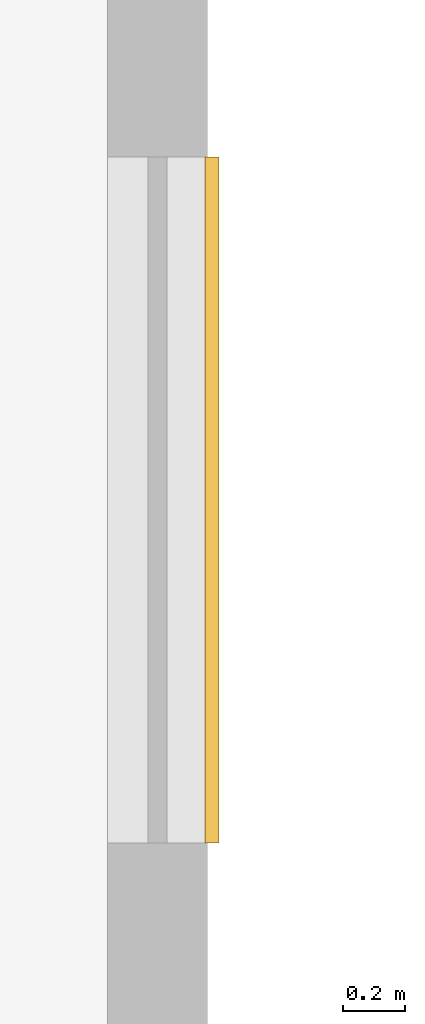
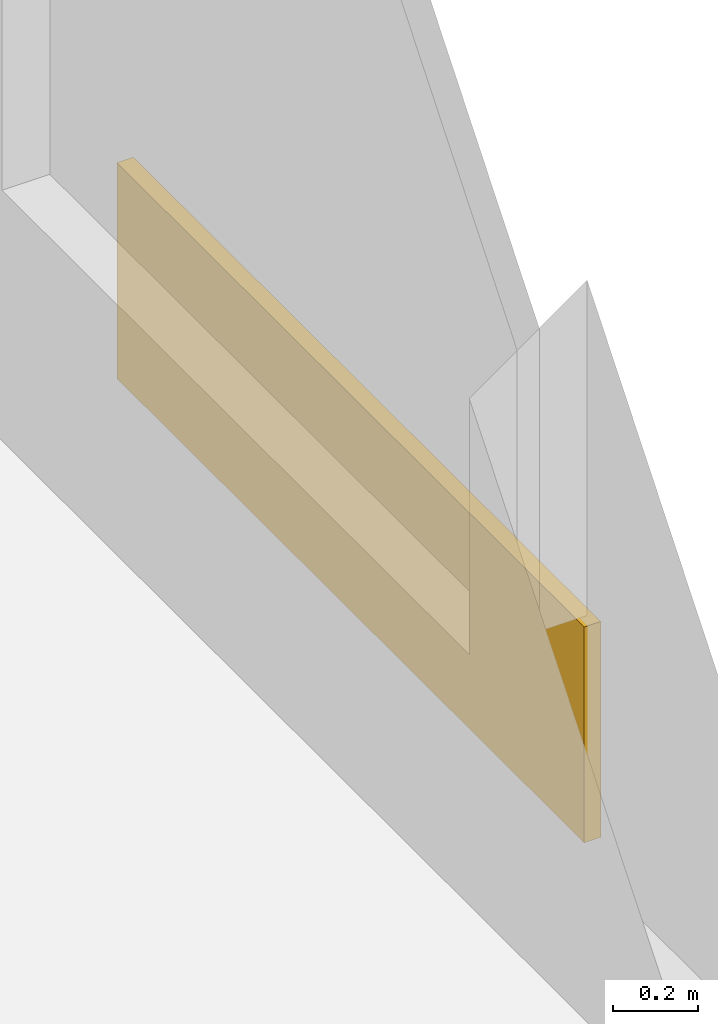
# One storey, part 16 of 16: 1 covering.
"""IFC4 building model written with IfcOpenShell, lengths in metres."""

from ifc_helpers import new_model, si_unit, direction, frame, origin, origin_2d, place, context, subcontext, project, spatial, rectangle, extrude, source, transform, mapped, material, layer, layer_set, type_object, element, save


model = new_model("IFC4")

# Units and contexts
model_context = context("Model", 3, precision=1e-05, world=origin(), true_north=direction((0.0, 1.0)))
body_context = subcontext(model_context, "Body", "Model", "MODEL_VIEW")
ifc_project = project(units=[si_unit("LENGTHUNIT", "METRE"), si_unit("AREAUNIT", "SQUARE_METRE"), si_unit("VOLUMEUNIT", "CUBIC_METRE"), si_unit("PLANEANGLEUNIT", "RADIAN"), si_unit("MASSUNIT", "GRAM", prefix="KILO")], contexts=[model_context])

# Site, building, storey
site_placement = place(None, origin())
site = spatial("IfcSite", under=ifc_project, at=site_placement, CompositionType="ELEMENT")
building_placement = place(site_placement, origin())
building = spatial("IfcBuilding", under=site, at=building_placement, Name="Vardaveli Station Tower", CompositionType="ELEMENT")
storey_placement = place(building_placement, frame((0.0, 0.0, 222.300048828125)))
storey = spatial("IfcBuildingStorey", under=building, at=storey_placement, Name="L57", CompositionType="ELEMENT", Elevation=222.300048828125)

# Covering
ifc_material = material(Name="Ventilated honed travertine stone cladding", Category="masonry")
ifc_layer = layer(ifc_material, 0.044921875, Name="Ventilated honed travertine stone cladding")
ifc_layer_set = layer_set([ifc_layer], Name="Ventilated honed travertine stone cladding")
covering_type = type_object("IfcCoveringType", Name="COV-CLAD-TR45", PredefinedType="CLADDING", material=ifc_layer_set)
shared_shape = source(origin(), body_context, "Body", "SweptSolid", [
    extrude(rectangle(XDim=2.199951171875, YDim=0.044921875, at=origin_2d()), origin(), (0.0, 0.0, 1.0), 0.6201171875),
])
covering_placement = place(storey_placement, frame((57.91455078125, 39.9951171875, 0.06982421875), z_axis=(0.0, 0.0, 1.0), x_axis=(0.0, 1.0, 0.0)))
element("IfcCovering", 1, at=covering_placement, inside=storey, type_object=covering_type, Name="CLD-TR-L57-E", PredefinedType="CLADDING", context=body_context, shape_type="MappedRepresentation", body=[
    mapped(shared_shape, transform((0.0, 0.0, 0.0), scale=1.0)),
])

save(model, "model.ifc")
